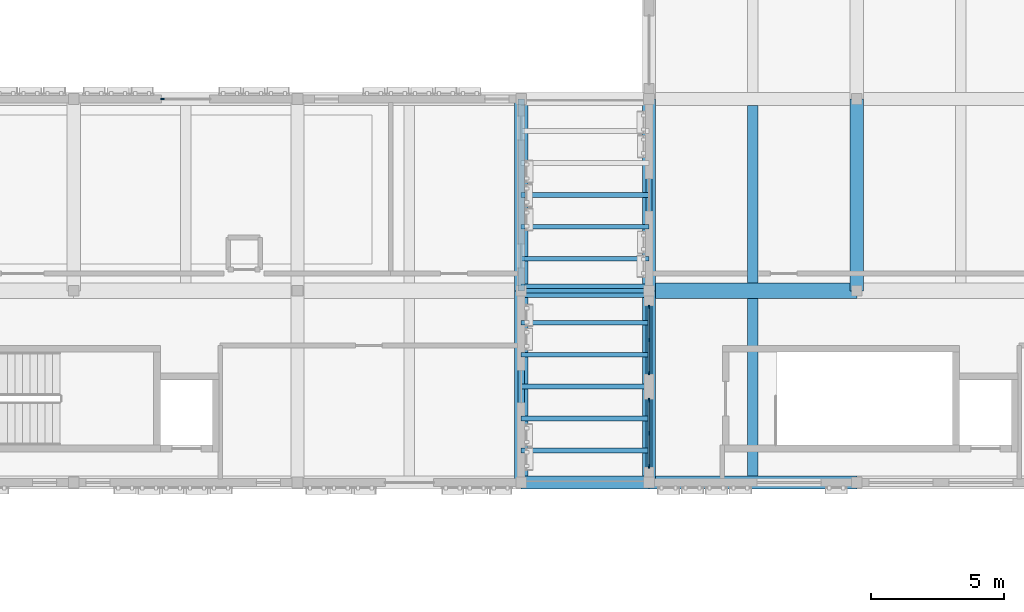
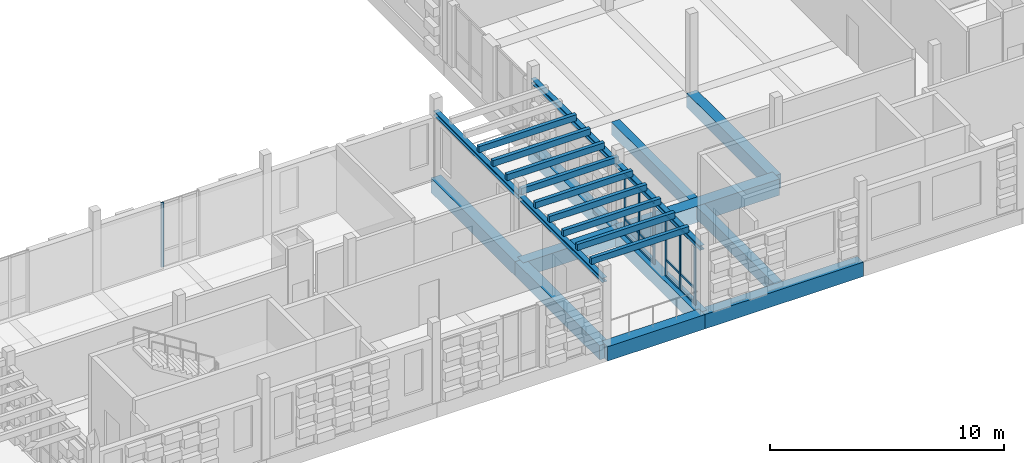
# One storey, part 25 of 99: 22 members, 15 beams, 3 elements without a shape of their own.
"""IFC4 building model written with IfcOpenShell, lengths in metres."""

from ifc_helpers import new_model, si_unit, direction, frame, origin, origin_2d, place, context, subcontext, project, spatial, rectangle, i_section, extrude, material, material_profile, profile_set, type_object, element, aggregate, save


model = new_model("IFC4")

# Units and contexts
model_context = context("Model", 3, precision=1e-05, world=origin(), true_north=direction((0.0, 1.0)))
body_context = subcontext(model_context, "Body", "Model", "MODEL_VIEW")
ifc_project = project(units=[si_unit("LENGTHUNIT", "METRE"), si_unit("AREAUNIT", "SQUARE_METRE"), si_unit("VOLUMEUNIT", "CUBIC_METRE"), si_unit("PLANEANGLEUNIT", "RADIAN"), si_unit("MASSUNIT", "GRAM", prefix="KILO")], contexts=[model_context])

# Site, building, storey
site_placement = place(None, origin())
site = spatial("IfcSite", under=ifc_project, at=site_placement, CompositionType="ELEMENT")
building_placement = place(site_placement, origin())
building = spatial("IfcBuilding", under=site, at=building_placement, Name="Kahlenmark Community Centre", CompositionType="ELEMENT")
storey_placement = place(building_placement, frame((0.0, 0.0, 5.39990234375)))
storey = spatial("IfcBuildingStorey", under=building, at=storey_placement, Name="L01", CompositionType="ELEMENT", Elevation=5.39990234375)

# Beams
ifc_material_1 = material(Name="Concrete C35/45", Category="concrete")
ifc_material_profile_1 = material_profile(ifc_material_1, rectangle(XDim=0.5, YDim=0.75, at=origin_2d()), Name="RC 500x750")
ifc_profile_set_1 = profile_set([ifc_material_profile_1], Name="Concrete C35/45")
beam_type_1 = type_object("IfcBeamType", Name="BT-BEAM-RC500x750", PredefinedType="BEAM", material=ifc_profile_set_1)
beam_1_placement = place(storey_placement, frame((129.39990234375, 16.0, -0.375), z_axis=(0.0, 1.0, 0.0), x_axis=(-1.0, 0.0, 0.0)))
element("IfcBeam", 1, at=beam_1_placement, inside=storey, type_object=beam_type_1, Name="L01 beam BG-RC500x750", PredefinedType="BEAM", context=body_context, shape_type="SweptSolid", body=[
    extrude(rectangle(XDim=0.5, YDim=0.75, at=origin_2d()), origin(), (0.0, 0.0, 1.0), 7.199951171875),
])
ifc_material_profile_2 = material_profile(ifc_material_1, rectangle(XDim=0.60009765625, YDim=0.85009765625, at=origin_2d()), Name="RC 600x850")
ifc_profile_set_2 = profile_set([ifc_material_profile_2], Name="Concrete C35/45")
beam_type_2 = type_object("IfcBeamType", Name="BT-BEAM-RC600x850", PredefinedType="BEAM", material=ifc_profile_set_2)
beam_2_placement = place(storey_placement, frame((121.60009765625, 16.0, -0.4248046875), z_axis=(1.0, 0.0, 0.0), x_axis=(0.0, 1.0, 0.0)))
element("IfcBeam", 2, at=beam_2_placement, inside=storey, type_object=beam_type_2, Name="L01 beam BG-RC600x850", PredefinedType="BEAM", context=body_context, shape_type="SweptSolid", body=[
    extrude(rectangle(XDim=0.60009765625, YDim=0.85009765625, at=origin_2d()), origin(), (0.0, 0.0, 1.0), 7.7998046875),
])
ifc_material_profile_3 = material_profile(ifc_material_1, rectangle(XDim=0.39990234375, YDim=0.64990234375, at=origin_2d()), Name="RC 400x650")
ifc_profile_set_3 = profile_set([ifc_material_profile_3], Name="Concrete C35/45")
beam_type_3 = type_object("IfcBeamType", Name="BT-JOIST-RC400x650", PredefinedType="JOIST", material=ifc_profile_set_3)
for number, where, z_axis, x_axis, name in (
    (3, (125.5, 9.048095703125, -0.324951171875), (0.0, 1.0, 0.0), (-1.0, 0.0, 0.0), "L01 joist BJ-RC400x650"),
    (4, (125.5, 16.298095703125, -0.324951171875), (0.0, 1.0, 0.0), (-1.0, 0.0, 0.0), "L01 joist BJ-RC400x650"),
):
    element("IfcBeam", number, at=place(storey_placement, frame(where, z_axis=z_axis, x_axis=x_axis)), inside=storey, type_object=beam_type_3, Name=name, PredefinedType="JOIST", context=body_context, shape_type="SweptSolid", body=[
        extrude(rectangle(XDim=0.39990234375, YDim=0.64990234375, at=origin_2d()), origin(), (0.0, 0.0, 1.0), 6.65380859375),
    ])
ifc_material_2 = material(Name="Steel S355", Category="steel")
ifc_material_profile_4 = material_profile(ifc_material_2, i_section(OverallWidth=0.239990234375, OverallDepth=0.22998046875, WebThickness=0.007568359375, FlangeThickness=0.011962890625, at=origin_2d()), Name="HEA 240")
ifc_profile_set_4 = profile_set([ifc_material_profile_4], Name="Steel S355")
beam_type_4 = type_object("IfcBeamType", Name="BT-SPANDREL-HEA240", PredefinedType="SPANDREL", material=ifc_profile_set_4)
for number, where, z_axis, x_axis, name in (
    (5, (116.800048828125, 8.800048828125, 3.335205078125), (0.0, 1.0, 0.0), (-1.0, 0.0, 0.0), "L01 spandrel SP-PRG240"),
    (6, (121.60009765625, 8.800048828125, 3.335205078125), (0.0, 1.0, 0.0), (-1.0, 0.0, 0.0), "L01 spandrel SP-PRG240"),
    (7, (116.800048828125, 16.0, 3.335205078125), (0.0, 1.0, 0.0), (-1.0, 0.0, 0.0), "L01 spandrel SP-PRG240"),
    (8, (121.60009765625, 16.0, 3.335205078125), (0.0, 1.0, 0.0), (-1.0, 0.0, 0.0), "L01 spandrel SP-PRG240"),
):
    element("IfcBeam", number, at=place(storey_placement, frame(where, z_axis=z_axis, x_axis=x_axis)), inside=storey, type_object=beam_type_4, Name=name, PredefinedType="SPANDREL", context=body_context, shape_type="SweptSolid", body=[
        extrude(i_section(OverallWidth=0.239990234375, OverallDepth=0.22998046875, WebThickness=0.007568359375, FlangeThickness=0.011962890625, at=origin_2d()), origin(), (0.0, 0.0, 1.0), 7.199951171875),
    ])
ifc_material_profile_5 = material_profile(ifc_material_1, rectangle(XDim=0.5, YDim=0.75, at=origin_2d()), Name="RC 500x750")
ifc_profile_set_5 = profile_set([ifc_material_profile_5], Name="Concrete C35/45")
beam_type_5 = type_object("IfcBeamType", Name="BT-SPANDREL-RC500x750", PredefinedType="SPANDREL", material=ifc_profile_set_5)
for number, where, z_axis, x_axis, name in (
    (9, (116.800048828125, 8.800048828125, -0.375), (0.0, 1.0, 0.0), (-1.0, 0.0, 0.0), "L01 spandrel SP-RC500x750"),
    (10, (116.800048828125, 16.0, -0.375), (0.0, 1.0, 0.0), (-1.0, 0.0, 0.0), "L01 spandrel SP-RC500x750"),
):
    element("IfcBeam", number, at=place(storey_placement, frame(where, z_axis=z_axis, x_axis=x_axis)), inside=storey, type_object=beam_type_5, Name=name, PredefinedType="SPANDREL", context=body_context, shape_type="SweptSolid", body=[
        extrude(rectangle(XDim=0.5, YDim=0.75, at=origin_2d()), origin(), (0.0, 0.0, 1.0), 7.199951171875),
    ])
beam_3_placement = place(storey_placement, frame((121.60009765625, 8.800048828125, -0.375), z_axis=(1.0, 0.0, 0.0), x_axis=(0.0, 1.0, 0.0)))
element("IfcBeam", 11, at=beam_3_placement, inside=storey, type_object=beam_type_5, Name="L01 spandrel SP-RC500x750", PredefinedType="SPANDREL", context=body_context, shape_type="SweptSolid", body=[
    extrude(rectangle(XDim=0.5, YDim=0.75, at=origin_2d()), origin(), (0.0, 0.0, 1.0), 7.7998046875),
])
for number, where, z_axis, x_axis, name in (
    (12, (121.60009765625, 8.800048828125, -0.375), (0.0, 1.0, 0.0), (-1.0, 0.0, 0.0), "L01 spandrel SP-RC500x750"),
    (13, (121.60009765625, 16.0, -0.375), (0.0, 1.0, 0.0), (-1.0, 0.0, 0.0), "L01 spandrel SP-RC500x750"),
):
    element("IfcBeam", number, at=place(storey_placement, frame(where, z_axis=z_axis, x_axis=x_axis)), inside=storey, type_object=beam_type_5, Name=name, PredefinedType="SPANDREL", context=body_context, shape_type="SweptSolid", body=[
        extrude(rectangle(XDim=0.5, YDim=0.75, at=origin_2d()), origin(), (0.0, 0.0, 1.0), 7.199951171875),
    ])
for number, where, z_axis, x_axis, name in (
    (14, (116.800048828125, 8.800048828125, -0.375), (1.0, 0.0, 0.0), (0.0, 1.0, 0.0), "L01 spandrel SP-RC500x750"),
    (15, (116.800048828125, 16.0, -0.375), (1.0, 0.0, 0.0), (0.0, 1.0, 0.0), "L01 spandrel SP-RC500x750"),
):
    element("IfcBeam", number, at=place(storey_placement, frame(where, z_axis=z_axis, x_axis=x_axis)), inside=storey, type_object=beam_type_5, Name=name, PredefinedType="SPANDREL", context=body_context, shape_type="SweptSolid", body=[
        extrude(rectangle(XDim=0.5, YDim=0.75, at=origin_2d()), origin(), (0.0, 0.0, 1.0), 4.800048828125),
    ])

# Curtain wall, member
ifc_material_3 = material(Name="Anodised aluminium unitised curtain wall", Category="aluminium")
curtain_wall_type_1 = type_object("IfcCurtainWallType", Name="CWT-UNIT-180X337", PredefinedType="USERDEFINED", material=ifc_material_3)
curtain_wall_1_placement = place(storey_placement, origin())
curtain_wall_1 = element("IfcCurtainWall", 16, at=curtain_wall_1_placement, inside=storey, type_object=curtain_wall_type_1, Name="Unitised curtain wall CW-048", ObjectType="UNITISED CURTAIN WALL", PredefinedType="USERDEFINED")
ifc_material_4 = material(Name="Anodised aluminium 6063-T6", Category="aluminium")
ifc_material_profile_6 = material_profile(ifc_material_4, rectangle(XDim=0.06005859375, YDim=0.139892578125, at=origin_2d()), Name="ALU MULLION 60x140")
ifc_profile_set_6 = profile_set([ifc_material_profile_6], Name="Anodised aluminium 6063-T6")
member_type_1 = type_object("IfcMemberType", Name="MT-MUL-140", PredefinedType="MULLION", material=ifc_profile_set_6)
member_1_placement = place(storey_placement, frame((103.330078125, 23.199951171875, 0.0), z_axis=(0.0, 0.0, 1.0), x_axis=(0.0, -1.0, 0.0)))
member_1 = element("IfcMember", 17, at=member_1_placement, type_object=member_type_1, Name="CW-048 mullion 3", PredefinedType="MULLION", context=body_context, shape_type="SweptSolid", body=[
    extrude(rectangle(XDim=0.06005859375, YDim=0.139892578125, at=origin_2d()), origin(), (0.0, 0.0, 1.0), 3.3701171875),
])
aggregate(curtain_wall_1, [member_1])

# Curtain wall, members
curtain_wall_type_2 = type_object("IfcCurtainWallType", Name="CWT-UNIT-254X321", PredefinedType="USERDEFINED", material=ifc_material_3)
curtain_wall_2_placement = place(storey_placement, origin())
curtain_wall_2 = element("IfcCurtainWall", 18, at=curtain_wall_2_placement, inside=storey, type_object=curtain_wall_type_2, Name="Unitised curtain wall CW-052", ObjectType="UNITISED CURTAIN WALL", PredefinedType="USERDEFINED")
member_2_placement = place(storey_placement, frame((121.60009765625, 15.389892578125, 0.0), z_axis=(0.0, 0.0, 1.0), x_axis=(1.0, 0.0, 0.0)))
member_2 = element("IfcMember", 19, at=member_2_placement, type_object=member_type_1, Name="CW-052 mullion 1", PredefinedType="MULLION", context=body_context, shape_type="SweptSolid", body=[
    extrude(rectangle(XDim=0.06005859375, YDim=0.139892578125, at=origin_2d()), origin(), (0.0, 0.0, 1.0), 3.210205078125),
])
member_3_placement = place(storey_placement, frame((121.60009765625, 14.14990234375, 0.0), z_axis=(0.0, 0.0, 1.0), x_axis=(1.0, 0.0, 0.0)))
member_3 = element("IfcMember", 20, at=member_3_placement, type_object=member_type_1, Name="CW-052 mullion 2", PredefinedType="MULLION", context=body_context, shape_type="SweptSolid", body=[
    extrude(rectangle(XDim=0.06005859375, YDim=0.139892578125, at=origin_2d()), origin(), (0.0, 0.0, 1.0), 3.210205078125),
])
member_4_placement = place(storey_placement, frame((121.60009765625, 12.909912109375, 0.0), z_axis=(0.0, 0.0, 1.0), x_axis=(1.0, 0.0, 0.0)))
member_4 = element("IfcMember", 21, at=member_4_placement, type_object=member_type_1, Name="CW-052 mullion 3", PredefinedType="MULLION", context=body_context, shape_type="SweptSolid", body=[
    extrude(rectangle(XDim=0.06005859375, YDim=0.139892578125, at=origin_2d()), origin(), (0.0, 0.0, 1.0), 3.210205078125),
])

curtain_wall_3_placement = place(storey_placement, origin())
curtain_wall_3 = element("IfcCurtainWall", 22, at=curtain_wall_3_placement, inside=storey, type_object=curtain_wall_type_2, Name="Unitised curtain wall CW-053", ObjectType="UNITISED CURTAIN WALL", PredefinedType="USERDEFINED")
member_5_placement = place(storey_placement, frame((121.60009765625, 11.889892578125, 0.0), z_axis=(0.0, 0.0, 1.0), x_axis=(1.0, 0.0, 0.0)))
member_5 = element("IfcMember", 23, at=member_5_placement, type_object=member_type_1, Name="CW-053 mullion 1", PredefinedType="MULLION", context=body_context, shape_type="SweptSolid", body=[
    extrude(rectangle(XDim=0.06005859375, YDim=0.139892578125, at=origin_2d()), origin(), (0.0, 0.0, 1.0), 3.210205078125),
])
member_6_placement = place(storey_placement, frame((121.60009765625, 10.64990234375, 0.0), z_axis=(0.0, 0.0, 1.0), x_axis=(1.0, 0.0, 0.0)))
member_6 = element("IfcMember", 24, at=member_6_placement, type_object=member_type_1, Name="CW-053 mullion 2", PredefinedType="MULLION", context=body_context, shape_type="SweptSolid", body=[
    extrude(rectangle(XDim=0.06005859375, YDim=0.139892578125, at=origin_2d()), origin(), (0.0, 0.0, 1.0), 3.210205078125),
])
member_7_placement = place(storey_placement, frame((121.60009765625, 9.409912109375, 0.0), z_axis=(0.0, 0.0, 1.0), x_axis=(1.0, 0.0, 0.0)))
member_7 = element("IfcMember", 25, at=member_7_placement, type_object=member_type_1, Name="CW-053 mullion 3", PredefinedType="MULLION", context=body_context, shape_type="SweptSolid", body=[
    extrude(rectangle(XDim=0.06005859375, YDim=0.139892578125, at=origin_2d()), origin(), (0.0, 0.0, 1.0), 3.210205078125),
])

# Members
ifc_material_5 = material(Name="Glulam GL28h", Category="wood")
ifc_material_profile_7 = material_profile(ifc_material_5, rectangle(XDim=0.179931640625, YDim=0.320068359375, at=origin_2d()), Name="GL28h 180x320")
ifc_profile_set_7 = profile_set([ifc_material_profile_7], Name="Glulam GL28h")
member_type_2 = type_object("IfcMemberType", Name="MT-RAFTER-GL28h180x320", PredefinedType="RAFTER", material=ifc_profile_set_7)
for number, where, z_axis, x_axis, name in (
    (26, (116.800048828125, 10.0, 3.610107421875), (1.0, 0.0, 0.0), (0.0, 1.0, 0.0), "L01 rafter PRG-RAF"),
    (27, (116.800048828125, 11.199951171875, 3.610107421875), (1.0, 0.0, 0.0), (0.0, 1.0, 0.0), "L01 rafter PRG-RAF"),
    (28, (116.800048828125, 12.39990234375, 3.610107421875), (1.0, 0.0, 0.0), (0.0, 1.0, 0.0), "L01 rafter PRG-RAF"),
    (29, (116.800048828125, 13.60009765625, 3.610107421875), (1.0, 0.0, 0.0), (0.0, 1.0, 0.0), "L01 rafter PRG-RAF"),
    (30, (116.800048828125, 14.800048828125, 3.610107421875), (1.0, 0.0, 0.0), (0.0, 1.0, 0.0), "L01 rafter PRG-RAF"),
    (31, (116.800048828125, 16.0, 3.610107421875), (1.0, 0.0, 0.0), (0.0, 1.0, 0.0), "L01 rafter PRG-RAF"),
    (32, (116.800048828125, 17.199951171875, 3.610107421875), (1.0, 0.0, 0.0), (0.0, 1.0, 0.0), "L01 rafter PRG-RAF"),
    (33, (116.800048828125, 18.39990234375, 3.610107421875), (1.0, 0.0, 0.0), (0.0, 1.0, 0.0), "L01 rafter PRG-RAF"),
    (34, (116.800048828125, 19.60009765625, 3.610107421875), (1.0, 0.0, 0.0), (0.0, 1.0, 0.0), "L01 rafter PRG-RAF"),
):
    element("IfcMember", number, at=place(storey_placement, frame(where, z_axis=z_axis, x_axis=x_axis)), inside=storey, type_object=member_type_2, Name=name, PredefinedType="RAFTER", context=body_context, shape_type="SweptSolid", body=[
        extrude(rectangle(XDim=0.179931640625, YDim=0.320068359375, at=origin_2d()), origin(), (0.0, 0.0, 1.0), 4.800048828125),
    ])

# Member
ifc_material_profile_8 = material_profile(ifc_material_4, rectangle(XDim=0.06005859375, YDim=0.1201171875, at=origin_2d()), Name="ALU TRANSOM 60x120")
ifc_profile_set_8 = profile_set([ifc_material_profile_8], Name="Anodised aluminium 6063-T6")
member_type_3 = type_object("IfcMemberType", Name="MT-TRN-120", PredefinedType="USERDEFINED", material=ifc_profile_set_8)
member_8_placement = place(storey_placement, frame((121.60009765625, 15.389892578125, 0.0400390625), z_axis=(0.0, -1.0, 0.0), x_axis=(1.0, 0.0, 0.0)))
member_8 = element("IfcMember", 35, at=member_8_placement, type_object=member_type_3, Name="CW-052 transom 1", ObjectType="TRANSOM", PredefinedType="USERDEFINED", context=body_context, shape_type="SweptSolid", body=[
    extrude(rectangle(XDim=0.06005859375, YDim=0.1201171875, at=origin_2d()), origin(), (0.0, 0.0, 1.0), 2.47998046875),
])

member_9_placement = place(storey_placement, frame((121.60009765625, 15.389892578125, 0.85009765625), z_axis=(0.0, -1.0, 0.0), x_axis=(1.0, 0.0, 0.0)))
member_9 = element("IfcMember", 36, at=member_9_placement, type_object=member_type_3, Name="CW-052 transom 2", ObjectType="TRANSOM", PredefinedType="USERDEFINED", context=body_context, shape_type="SweptSolid", body=[
    extrude(rectangle(XDim=0.06005859375, YDim=0.1201171875, at=origin_2d()), origin(), (0.0, 0.0, 1.0), 2.47998046875),
])

member_10_placement = place(storey_placement, frame((121.60009765625, 15.389892578125, 3.170166015625), z_axis=(0.0, -1.0, 0.0), x_axis=(1.0, 0.0, 0.0)))
member_10 = element("IfcMember", 37, at=member_10_placement, type_object=member_type_3, Name="CW-052 transom 3", ObjectType="TRANSOM", PredefinedType="USERDEFINED", context=body_context, shape_type="SweptSolid", body=[
    extrude(rectangle(XDim=0.06005859375, YDim=0.1201171875, at=origin_2d()), origin(), (0.0, 0.0, 1.0), 2.47998046875),
])

aggregate(curtain_wall_2, [member_2, member_3, member_4, member_8, member_9, member_10])

member_11_placement = place(storey_placement, frame((121.60009765625, 11.889892578125, 0.0400390625), z_axis=(0.0, -1.0, 0.0), x_axis=(1.0, 0.0, 0.0)))
member_11 = element("IfcMember", 38, at=member_11_placement, type_object=member_type_3, Name="CW-053 transom 1", ObjectType="TRANSOM", PredefinedType="USERDEFINED", context=body_context, shape_type="SweptSolid", body=[
    extrude(rectangle(XDim=0.06005859375, YDim=0.1201171875, at=origin_2d()), origin(), (0.0, 0.0, 1.0), 2.47998046875),
])

member_12_placement = place(storey_placement, frame((121.60009765625, 11.889892578125, 0.85009765625), z_axis=(0.0, -1.0, 0.0), x_axis=(1.0, 0.0, 0.0)))
member_12 = element("IfcMember", 39, at=member_12_placement, type_object=member_type_3, Name="CW-053 transom 2", ObjectType="TRANSOM", PredefinedType="USERDEFINED", context=body_context, shape_type="SweptSolid", body=[
    extrude(rectangle(XDim=0.06005859375, YDim=0.1201171875, at=origin_2d()), origin(), (0.0, 0.0, 1.0), 2.47998046875),
])

member_13_placement = place(storey_placement, frame((121.60009765625, 11.889892578125, 3.170166015625), z_axis=(0.0, -1.0, 0.0), x_axis=(1.0, 0.0, 0.0)))
member_13 = element("IfcMember", 40, at=member_13_placement, type_object=member_type_3, Name="CW-053 transom 3", ObjectType="TRANSOM", PredefinedType="USERDEFINED", context=body_context, shape_type="SweptSolid", body=[
    extrude(rectangle(XDim=0.06005859375, YDim=0.1201171875, at=origin_2d()), origin(), (0.0, 0.0, 1.0), 2.47998046875),
])

aggregate(curtain_wall_3, [member_5, member_6, member_7, member_11, member_12, member_13])

save(model, "model.ifc")
